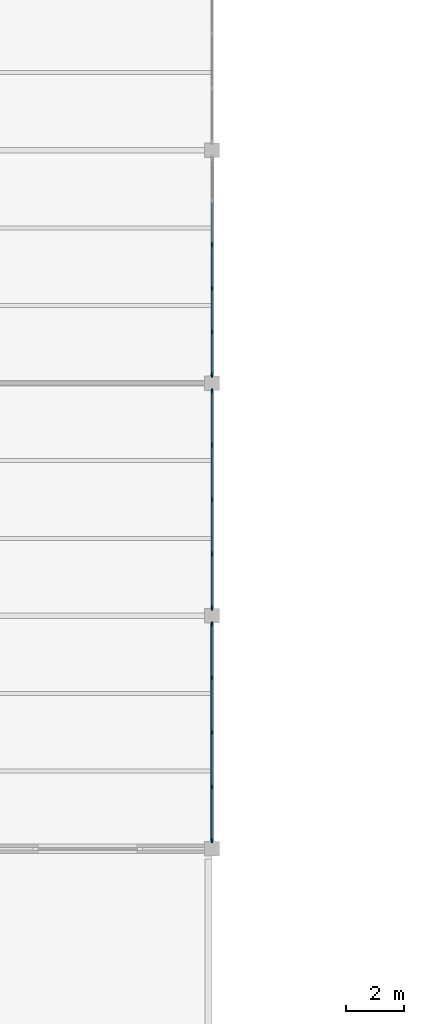
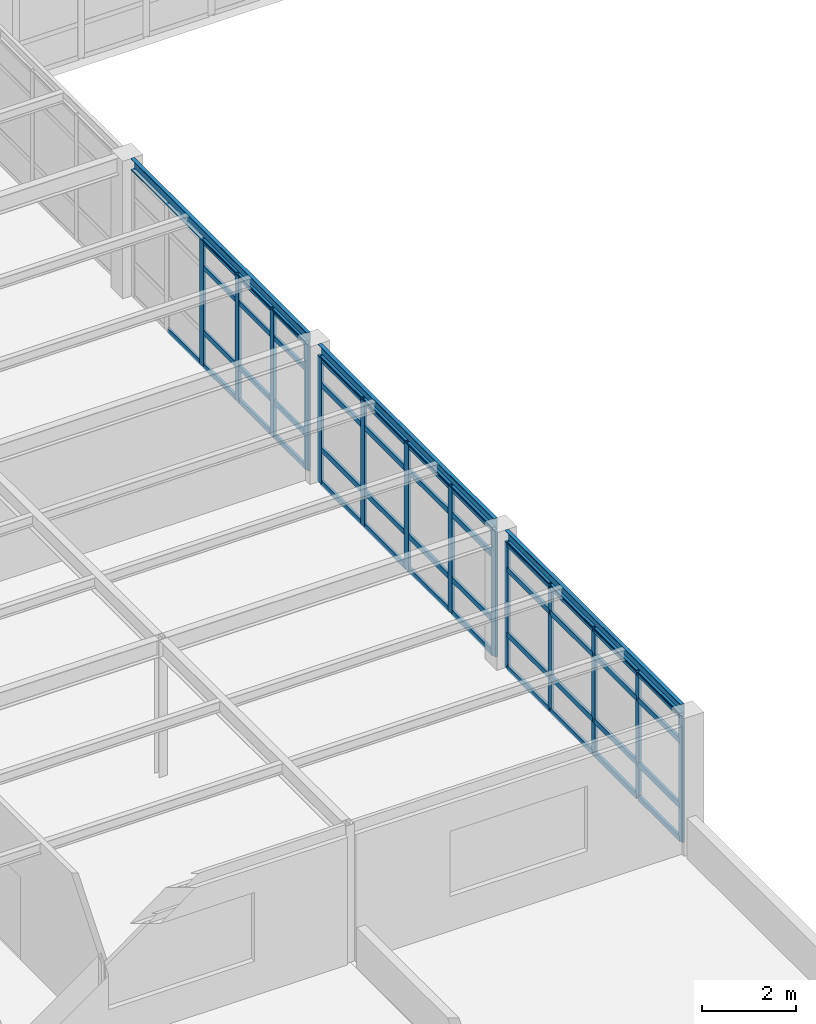
# One storey, part 10 of 32: 59 members, 3 beams, 3 elements without a shape of their own.
"""IFC4 building model written with IfcOpenShell, lengths in metres."""

from ifc_helpers import new_model, si_unit, direction, frame, origin, origin_2d, place, context, subcontext, project, spatial, rectangle, u_section, extrude, material, layer, layer_set, material_profile, profile_set, type_object, element, aggregate, save


model = new_model("IFC4")

# Units and contexts
model_context = context("Model", 3, precision=1e-05, world=origin(), true_north=direction((0.0, 1.0)))
body_context = subcontext(model_context, "Body", "Model", "MODEL_VIEW")
ifc_project = project(units=[si_unit("LENGTHUNIT", "METRE"), si_unit("AREAUNIT", "SQUARE_METRE"), si_unit("VOLUMEUNIT", "CUBIC_METRE"), si_unit("PLANEANGLEUNIT", "RADIAN"), si_unit("MASSUNIT", "GRAM", prefix="KILO")], contexts=[model_context])

# Site, building, storey
site_placement = place(None, origin())
site = spatial("IfcSite", under=ifc_project, at=site_placement, CompositionType="ELEMENT")
building_placement = place(site_placement, origin())
building = spatial("IfcBuilding", under=site, at=building_placement, Name="Kranzveld Transit Interchange", CompositionType="ELEMENT")
storey_placement = place(building_placement, frame((0.0, 0.0, 17.199951171875)))
storey = spatial("IfcBuildingStorey", under=building, at=storey_placement, Name="L04", CompositionType="ELEMENT", Elevation=17.199951171875)

# Curtain wall, members
ifc_material_1 = material(Name="Bronze-anodised thermally broken aluminium", Category="aluminium")
ifc_layer_1 = layer(ifc_material_1, 0.159912109375)
ifc_layer_set_1 = layer_set([ifc_layer_1], Name="Bronze-anodised thermally broken aluminium")
curtain_wall_type_1 = type_object("IfcCurtainWallType", Name="Bus Boarding Glazed Screen CW-3", PredefinedType="USERDEFINED", material=ifc_layer_set_1)
curtain_wall_1_placement = place(storey_placement, origin())
curtain_wall_1 = element("IfcCurtainWall", 1, at=curtain_wall_1_placement, inside=storey, type_object=curtain_wall_type_1, Name="L04 Curtain Wall 05/H-05/J", ObjectType="CURTAIN WALL", PredefinedType="USERDEFINED")
ifc_material_2 = material(Name="Bronze-anodised thermally broken aluminium", Category="aluminium")
ifc_material_profile_1 = material_profile(ifc_material_2, rectangle(XDim=0.06005859375, YDim=0.14990234375, at=origin_2d()), Name="ALU MULLION 60x150")
ifc_profile_set_1 = profile_set([ifc_material_profile_1], Name="Bronze-anodised thermally broken aluminium")
member_type_1 = type_object("IfcMemberType", Name="Curtain Wall Mullion 60x150 Alu", PredefinedType="MULLION", material=ifc_profile_set_1)
member_1_placement = place(storey_placement, frame((33.60009765625, 56.280029296875, 0.0), z_axis=(0.0, 0.0, 1.0), x_axis=(-1.0, 0.0, 0.0)))
member_1 = element("IfcMember", 2, at=member_1_placement, type_object=member_type_1, Name="CW-3 mullion 1", PredefinedType="MULLION", context=body_context, shape_type="SweptSolid", body=[
    extrude(rectangle(XDim=0.06005859375, YDim=0.14990234375, at=origin_2d()), origin(), (0.0, 0.0, 1.0), 3.2900390625),
])
member_2_placement = place(storey_placement, frame((33.60009765625, 58.125, 0.0), z_axis=(0.0, 0.0, 1.0), x_axis=(-1.0, 0.0, 0.0)))
member_2 = element("IfcMember", 3, at=member_2_placement, type_object=member_type_1, Name="CW-3 mullion 2", PredefinedType="MULLION", context=body_context, shape_type="SweptSolid", body=[
    extrude(rectangle(XDim=0.06005859375, YDim=0.14990234375, at=origin_2d()), origin(), (0.0, 0.0, 1.0), 3.2900390625),
])
member_3_placement = place(storey_placement, frame((33.60009765625, 60.0, 0.0), z_axis=(0.0, 0.0, 1.0), x_axis=(-1.0, 0.0, 0.0)))
member_3 = element("IfcMember", 4, at=member_3_placement, type_object=member_type_1, Name="CW-3 mullion 3", PredefinedType="MULLION", context=body_context, shape_type="SweptSolid", body=[
    extrude(rectangle(XDim=0.06005859375, YDim=0.14990234375, at=origin_2d()), origin(), (0.0, 0.0, 1.0), 3.2900390625),
])
member_4_placement = place(storey_placement, frame((33.60009765625, 61.875, 0.0), z_axis=(0.0, 0.0, 1.0), x_axis=(-1.0, 0.0, 0.0)))
member_4 = element("IfcMember", 5, at=member_4_placement, type_object=member_type_1, Name="CW-3 mullion 4", PredefinedType="MULLION", context=body_context, shape_type="SweptSolid", body=[
    extrude(rectangle(XDim=0.06005859375, YDim=0.14990234375, at=origin_2d()), origin(), (0.0, 0.0, 1.0), 3.2900390625),
])
member_5_placement = place(storey_placement, frame((33.60009765625, 63.719970703125, 0.0), z_axis=(0.0, 0.0, 1.0), x_axis=(-1.0, 0.0, 0.0)))
member_5 = element("IfcMember", 6, at=member_5_placement, type_object=member_type_1, Name="CW-3 mullion 5", PredefinedType="MULLION", context=body_context, shape_type="SweptSolid", body=[
    extrude(rectangle(XDim=0.06005859375, YDim=0.14990234375, at=origin_2d()), origin(), (0.0, 0.0, 1.0), 3.2900390625),
])

ifc_material_3 = material(Name="Bronze-anodised thermally broken aluminium", Category="aluminium")
ifc_layer_2 = layer(ifc_material_3, 0.1650390625)
ifc_layer_set_2 = layer_set([ifc_layer_2], Name="Bronze-anodised thermally broken aluminium")
curtain_wall_type_2 = type_object("IfcCurtainWallType", Name="Sunny Court Arcade Curtain Wall CW-2", PredefinedType="USERDEFINED", material=ifc_layer_set_2)
curtain_wall_2_placement = place(storey_placement, origin())
curtain_wall_2 = element("IfcCurtainWall", 7, at=curtain_wall_2_placement, inside=storey, type_object=curtain_wall_type_2, Name="L04 Curtain Wall 05/K-05/L", ObjectType="CURTAIN WALL", PredefinedType="USERDEFINED")
ifc_material_4 = material(Name="Bronze-anodised thermally broken aluminium", Category="aluminium")
ifc_material_profile_2 = material_profile(ifc_material_4, rectangle(XDim=0.06494140625, YDim=0.1650390625, at=origin_2d()), Name="ALU MULLION 65x165")
ifc_profile_set_2 = profile_set([ifc_material_profile_2], Name="Bronze-anodised thermally broken aluminium")
member_type_2 = type_object("IfcMemberType", Name="Curtain Wall Mullion 65x165 Alu", PredefinedType="MULLION", material=ifc_profile_set_2)
member_6_placement = place(storey_placement, frame((33.60009765625, 72.282470703125, 0.0), z_axis=(0.0, 0.0, 1.0), x_axis=(-1.0, 0.0, 0.0)))
member_6 = element("IfcMember", 8, at=member_6_placement, type_object=member_type_2, Name="CW-2 mullion 1", PredefinedType="MULLION", context=body_context, shape_type="SweptSolid", body=[
    extrude(rectangle(XDim=0.06494140625, YDim=0.1650390625, at=origin_2d()), origin(), (0.0, 0.0, 1.0), 3.2900390625),
])
member_7_placement = place(storey_placement, frame((33.60009765625, 73.75, 0.0), z_axis=(0.0, 0.0, 1.0), x_axis=(-1.0, 0.0, 0.0)))
member_7 = element("IfcMember", 9, at=member_7_placement, type_object=member_type_2, Name="CW-2 mullion 2", PredefinedType="MULLION", context=body_context, shape_type="SweptSolid", body=[
    extrude(rectangle(XDim=0.06494140625, YDim=0.1650390625, at=origin_2d()), origin(), (0.0, 0.0, 1.0), 3.2900390625),
])
member_8_placement = place(storey_placement, frame((33.60009765625, 75.25, 0.0), z_axis=(0.0, 0.0, 1.0), x_axis=(-1.0, 0.0, 0.0)))
member_8 = element("IfcMember", 10, at=member_8_placement, type_object=member_type_2, Name="CW-2 mullion 3", PredefinedType="MULLION", context=body_context, shape_type="SweptSolid", body=[
    extrude(rectangle(XDim=0.06494140625, YDim=0.1650390625, at=origin_2d()), origin(), (0.0, 0.0, 1.0), 3.2900390625),
])
member_9_placement = place(storey_placement, frame((33.60009765625, 76.75, 0.0), z_axis=(0.0, 0.0, 1.0), x_axis=(-1.0, 0.0, 0.0)))
member_9 = element("IfcMember", 11, at=member_9_placement, type_object=member_type_2, Name="CW-2 mullion 4", PredefinedType="MULLION", context=body_context, shape_type="SweptSolid", body=[
    extrude(rectangle(XDim=0.06494140625, YDim=0.1650390625, at=origin_2d()), origin(), (0.0, 0.0, 1.0), 3.2900390625),
])

ifc_material_5 = material(Name="Bronze-anodised thermally broken aluminium", Category="aluminium")
ifc_layer_3 = layer(ifc_material_5, 0.179931640625)
ifc_layer_set_3 = layer_set([ifc_layer_3], Name="Bronze-anodised thermally broken aluminium")
curtain_wall_type_3 = type_object("IfcCurtainWallType", Name="Concourse Unitised Curtain Wall CW-1", PredefinedType="USERDEFINED", material=ifc_layer_set_3)
curtain_wall_3_placement = place(storey_placement, origin())
curtain_wall_3 = element("IfcCurtainWall", 12, at=curtain_wall_3_placement, inside=storey, type_object=curtain_wall_type_3, Name="L04 Curtain Wall 05/J-05/K", ObjectType="CURTAIN WALL", PredefinedType="USERDEFINED")
ifc_material_6 = material(Name="Bronze-anodised thermally broken aluminium", Category="aluminium")
ifc_material_profile_3 = material_profile(ifc_material_6, rectangle(XDim=0.06494140625, YDim=0.179931640625, at=origin_2d()), Name="ALU MULLION 65x180")
ifc_profile_set_3 = profile_set([ifc_material_profile_3], Name="Bronze-anodised thermally broken aluminium")
member_type_3 = type_object("IfcMemberType", Name="Curtain Wall Mullion 65x180 Alu", PredefinedType="MULLION", material=ifc_profile_set_3)
member_10_placement = place(storey_placement, frame((33.60009765625, 64.282470703125, 0.0), z_axis=(0.0, 0.0, 1.0), x_axis=(-1.0, 0.0, 0.0)))
member_10 = element("IfcMember", 13, at=member_10_placement, type_object=member_type_3, Name="CW-1 mullion 1", PredefinedType="MULLION", context=body_context, shape_type="SweptSolid", body=[
    extrude(rectangle(XDim=0.06494140625, YDim=0.179931640625, at=origin_2d()), origin(), (0.0, 0.0, 1.0), 3.2900390625),
])
member_11_placement = place(storey_placement, frame((33.60009765625, 66.125, 0.0), z_axis=(0.0, 0.0, 1.0), x_axis=(-1.0, 0.0, 0.0)))
member_11 = element("IfcMember", 14, at=member_11_placement, type_object=member_type_3, Name="CW-1 mullion 2", PredefinedType="MULLION", context=body_context, shape_type="SweptSolid", body=[
    extrude(rectangle(XDim=0.06494140625, YDim=0.179931640625, at=origin_2d()), origin(), (0.0, 0.0, 1.0), 3.2900390625),
])
member_12_placement = place(storey_placement, frame((33.60009765625, 68.0, 0.0), z_axis=(0.0, 0.0, 1.0), x_axis=(-1.0, 0.0, 0.0)))
member_12 = element("IfcMember", 15, at=member_12_placement, type_object=member_type_3, Name="CW-1 mullion 3", PredefinedType="MULLION", context=body_context, shape_type="SweptSolid", body=[
    extrude(rectangle(XDim=0.06494140625, YDim=0.179931640625, at=origin_2d()), origin(), (0.0, 0.0, 1.0), 3.2900390625),
])
member_13_placement = place(storey_placement, frame((33.60009765625, 69.875, 0.0), z_axis=(0.0, 0.0, 1.0), x_axis=(-1.0, 0.0, 0.0)))
member_13 = element("IfcMember", 16, at=member_13_placement, type_object=member_type_3, Name="CW-1 mullion 4", PredefinedType="MULLION", context=body_context, shape_type="SweptSolid", body=[
    extrude(rectangle(XDim=0.06494140625, YDim=0.179931640625, at=origin_2d()), origin(), (0.0, 0.0, 1.0), 3.2900390625),
])
member_14_placement = place(storey_placement, frame((33.60009765625, 71.717529296875, 0.0), z_axis=(0.0, 0.0, 1.0), x_axis=(-1.0, 0.0, 0.0)))
member_14 = element("IfcMember", 17, at=member_14_placement, type_object=member_type_3, Name="CW-1 mullion 5", PredefinedType="MULLION", context=body_context, shape_type="SweptSolid", body=[
    extrude(rectangle(XDim=0.06494140625, YDim=0.179931640625, at=origin_2d()), origin(), (0.0, 0.0, 1.0), 3.2900390625),
])

# Member
ifc_material_7 = material(Name="Bronze-anodised thermally broken aluminium", Category="aluminium")
ifc_material_profile_4 = material_profile(ifc_material_7, rectangle(XDim=0.06005859375, YDim=0.125, at=origin_2d()), Name="ALU TRANSOM 60x125")
ifc_profile_set_4 = profile_set([ifc_material_profile_4], Name="Bronze-anodised thermally broken aluminium")
member_type_4 = type_object("IfcMemberType", Name="Curtain Wall Transom 60x125 Alu", PredefinedType="USERDEFINED", material=ifc_profile_set_4)
member_15_placement = place(storey_placement, frame((33.60009765625, 72.31494140625, 0.030029296875), z_axis=(0.0, 1.0, 0.0), x_axis=(-1.0, 0.0, 0.0)))
member_15 = element("IfcMember", 18, at=member_15_placement, type_object=member_type_4, Name="CW-2 transom 1.1", ObjectType="TRANSOM", PredefinedType="USERDEFINED", context=body_context, shape_type="SweptSolid", body=[
    extrude(rectangle(XDim=0.06005859375, YDim=0.125, at=origin_2d()), origin(), (0.0, 0.0, 1.0), 1.402587890625),
])

member_16_placement = place(storey_placement, frame((33.60009765625, 72.31494140625, 0.900146484375), z_axis=(0.0, 1.0, 0.0), x_axis=(-1.0, 0.0, 0.0)))
member_16 = element("IfcMember", 19, at=member_16_placement, type_object=member_type_4, Name="CW-2 transom 1.2", ObjectType="TRANSOM", PredefinedType="USERDEFINED", context=body_context, shape_type="SweptSolid", body=[
    extrude(rectangle(XDim=0.06005859375, YDim=0.125, at=origin_2d()), origin(), (0.0, 0.0, 1.0), 1.402587890625),
])

member_17_placement = place(storey_placement, frame((33.60009765625, 72.31494140625, 2.590087890625), z_axis=(0.0, 1.0, 0.0), x_axis=(-1.0, 0.0, 0.0)))
member_17 = element("IfcMember", 20, at=member_17_placement, type_object=member_type_4, Name="CW-2 transom 1.3", ObjectType="TRANSOM", PredefinedType="USERDEFINED", context=body_context, shape_type="SweptSolid", body=[
    extrude(rectangle(XDim=0.06005859375, YDim=0.125, at=origin_2d()), origin(), (0.0, 0.0, 1.0), 1.402587890625),
])

member_18_placement = place(storey_placement, frame((33.60009765625, 72.31494140625, 3.260009765625), z_axis=(0.0, 1.0, 0.0), x_axis=(-1.0, 0.0, 0.0)))
member_18 = element("IfcMember", 21, at=member_18_placement, type_object=member_type_4, Name="CW-2 transom 1.4", ObjectType="TRANSOM", PredefinedType="USERDEFINED", context=body_context, shape_type="SweptSolid", body=[
    extrude(rectangle(XDim=0.06005859375, YDim=0.125, at=origin_2d()), origin(), (0.0, 0.0, 1.0), 1.402587890625),
])

member_19_placement = place(storey_placement, frame((33.60009765625, 73.782470703125, 0.030029296875), z_axis=(0.0, 1.0, 0.0), x_axis=(-1.0, 0.0, 0.0)))
member_19 = element("IfcMember", 22, at=member_19_placement, type_object=member_type_4, Name="CW-2 transom 2.1", ObjectType="TRANSOM", PredefinedType="USERDEFINED", context=body_context, shape_type="SweptSolid", body=[
    extrude(rectangle(XDim=0.06005859375, YDim=0.125, at=origin_2d()), origin(), (0.0, 0.0, 1.0), 1.43505859375),
])

member_20_placement = place(storey_placement, frame((33.60009765625, 73.782470703125, 0.900146484375), z_axis=(0.0, 1.0, 0.0), x_axis=(-1.0, 0.0, 0.0)))
member_20 = element("IfcMember", 23, at=member_20_placement, type_object=member_type_4, Name="CW-2 transom 2.2", ObjectType="TRANSOM", PredefinedType="USERDEFINED", context=body_context, shape_type="SweptSolid", body=[
    extrude(rectangle(XDim=0.06005859375, YDim=0.125, at=origin_2d()), origin(), (0.0, 0.0, 1.0), 1.43505859375),
])

member_21_placement = place(storey_placement, frame((33.60009765625, 73.782470703125, 2.590087890625), z_axis=(0.0, 1.0, 0.0), x_axis=(-1.0, 0.0, 0.0)))
member_21 = element("IfcMember", 24, at=member_21_placement, type_object=member_type_4, Name="CW-2 transom 2.3", ObjectType="TRANSOM", PredefinedType="USERDEFINED", context=body_context, shape_type="SweptSolid", body=[
    extrude(rectangle(XDim=0.06005859375, YDim=0.125, at=origin_2d()), origin(), (0.0, 0.0, 1.0), 1.43505859375),
])

member_22_placement = place(storey_placement, frame((33.60009765625, 73.782470703125, 3.260009765625), z_axis=(0.0, 1.0, 0.0), x_axis=(-1.0, 0.0, 0.0)))
member_22 = element("IfcMember", 25, at=member_22_placement, type_object=member_type_4, Name="CW-2 transom 2.4", ObjectType="TRANSOM", PredefinedType="USERDEFINED", context=body_context, shape_type="SweptSolid", body=[
    extrude(rectangle(XDim=0.06005859375, YDim=0.125, at=origin_2d()), origin(), (0.0, 0.0, 1.0), 1.43505859375),
])

member_23_placement = place(storey_placement, frame((33.60009765625, 75.282470703125, 0.030029296875), z_axis=(0.0, 1.0, 0.0), x_axis=(-1.0, 0.0, 0.0)))
member_23 = element("IfcMember", 26, at=member_23_placement, type_object=member_type_4, Name="CW-2 transom 3.1", ObjectType="TRANSOM", PredefinedType="USERDEFINED", context=body_context, shape_type="SweptSolid", body=[
    extrude(rectangle(XDim=0.06005859375, YDim=0.125, at=origin_2d()), origin(), (0.0, 0.0, 1.0), 1.43505859375),
])

member_24_placement = place(storey_placement, frame((33.60009765625, 75.282470703125, 0.900146484375), z_axis=(0.0, 1.0, 0.0), x_axis=(-1.0, 0.0, 0.0)))
member_24 = element("IfcMember", 27, at=member_24_placement, type_object=member_type_4, Name="CW-2 transom 3.2", ObjectType="TRANSOM", PredefinedType="USERDEFINED", context=body_context, shape_type="SweptSolid", body=[
    extrude(rectangle(XDim=0.06005859375, YDim=0.125, at=origin_2d()), origin(), (0.0, 0.0, 1.0), 1.43505859375),
])

member_25_placement = place(storey_placement, frame((33.60009765625, 75.282470703125, 2.590087890625), z_axis=(0.0, 1.0, 0.0), x_axis=(-1.0, 0.0, 0.0)))
member_25 = element("IfcMember", 28, at=member_25_placement, type_object=member_type_4, Name="CW-2 transom 3.3", ObjectType="TRANSOM", PredefinedType="USERDEFINED", context=body_context, shape_type="SweptSolid", body=[
    extrude(rectangle(XDim=0.06005859375, YDim=0.125, at=origin_2d()), origin(), (0.0, 0.0, 1.0), 1.43505859375),
])

member_26_placement = place(storey_placement, frame((33.60009765625, 75.282470703125, 3.260009765625), z_axis=(0.0, 1.0, 0.0), x_axis=(-1.0, 0.0, 0.0)))
member_26 = element("IfcMember", 29, at=member_26_placement, type_object=member_type_4, Name="CW-2 transom 3.4", ObjectType="TRANSOM", PredefinedType="USERDEFINED", context=body_context, shape_type="SweptSolid", body=[
    extrude(rectangle(XDim=0.06005859375, YDim=0.125, at=origin_2d()), origin(), (0.0, 0.0, 1.0), 1.43505859375),
])

member_27_placement = place(storey_placement, frame((33.60009765625, 76.782470703125, 0.030029296875), z_axis=(0.0, 1.0, 0.0), x_axis=(-1.0, 0.0, 0.0)))
member_27 = element("IfcMember", 30, at=member_27_placement, type_object=member_type_4, Name="CW-2 transom 4.1", ObjectType="TRANSOM", PredefinedType="USERDEFINED", context=body_context, shape_type="SweptSolid", body=[
    extrude(rectangle(XDim=0.06005859375, YDim=0.125, at=origin_2d()), origin(), (0.0, 0.0, 1.0), 1.43505859375),
])

aggregate(curtain_wall_2, [member_6, member_7, member_8, member_9, member_15, member_16, member_17, member_18, member_19, member_20, member_21, member_22, member_23, member_24, member_25, member_26, member_27])

ifc_material_8 = material(Name="Bronze-anodised thermally broken aluminium", Category="aluminium")
ifc_material_profile_5 = material_profile(ifc_material_8, rectangle(XDim=0.06494140625, YDim=0.139892578125, at=origin_2d()), Name="ALU TRANSOM 65x140")
ifc_profile_set_5 = profile_set([ifc_material_profile_5], Name="Bronze-anodised thermally broken aluminium")
member_type_5 = type_object("IfcMemberType", Name="Curtain Wall Transom 65x140 Alu", PredefinedType="USERDEFINED", material=ifc_profile_set_5)
member_28_placement = place(storey_placement, frame((33.60009765625, 56.31005859375, 0.032470703125), z_axis=(0.0, 1.0, 0.0), x_axis=(-1.0, 0.0, 0.0)))
member_28 = element("IfcMember", 31, at=member_28_placement, type_object=member_type_5, Name="CW-3 transom 1.1", ObjectType="TRANSOM", PredefinedType="USERDEFINED", context=body_context, shape_type="SweptSolid", body=[
    extrude(rectangle(XDim=0.06494140625, YDim=0.139892578125, at=origin_2d()), origin(), (0.0, 0.0, 1.0), 1.784912109375),
])

member_29_placement = place(storey_placement, frame((33.60009765625, 56.31005859375, 0.900146484375), z_axis=(0.0, 1.0, 0.0), x_axis=(-1.0, 0.0, 0.0)))
member_29 = element("IfcMember", 32, at=member_29_placement, type_object=member_type_5, Name="CW-3 transom 1.2", ObjectType="TRANSOM", PredefinedType="USERDEFINED", context=body_context, shape_type="SweptSolid", body=[
    extrude(rectangle(XDim=0.06494140625, YDim=0.139892578125, at=origin_2d()), origin(), (0.0, 0.0, 1.0), 1.784912109375),
])

member_30_placement = place(storey_placement, frame((33.60009765625, 56.31005859375, 2.590087890625), z_axis=(0.0, 1.0, 0.0), x_axis=(-1.0, 0.0, 0.0)))
member_30 = element("IfcMember", 33, at=member_30_placement, type_object=member_type_5, Name="CW-3 transom 1.3", ObjectType="TRANSOM", PredefinedType="USERDEFINED", context=body_context, shape_type="SweptSolid", body=[
    extrude(rectangle(XDim=0.06494140625, YDim=0.139892578125, at=origin_2d()), origin(), (0.0, 0.0, 1.0), 1.784912109375),
])

member_31_placement = place(storey_placement, frame((33.60009765625, 56.31005859375, 3.257568359375), z_axis=(0.0, 1.0, 0.0), x_axis=(-1.0, 0.0, 0.0)))
member_31 = element("IfcMember", 34, at=member_31_placement, type_object=member_type_5, Name="CW-3 transom 1.4", ObjectType="TRANSOM", PredefinedType="USERDEFINED", context=body_context, shape_type="SweptSolid", body=[
    extrude(rectangle(XDim=0.06494140625, YDim=0.139892578125, at=origin_2d()), origin(), (0.0, 0.0, 1.0), 1.784912109375),
])

member_32_placement = place(storey_placement, frame((33.60009765625, 58.155029296875, 0.032470703125), z_axis=(0.0, 1.0, 0.0), x_axis=(-1.0, 0.0, 0.0)))
member_32 = element("IfcMember", 35, at=member_32_placement, type_object=member_type_5, Name="CW-3 transom 2.1", ObjectType="TRANSOM", PredefinedType="USERDEFINED", context=body_context, shape_type="SweptSolid", body=[
    extrude(rectangle(XDim=0.06494140625, YDim=0.139892578125, at=origin_2d()), origin(), (0.0, 0.0, 1.0), 1.81494140625),
])

member_33_placement = place(storey_placement, frame((33.60009765625, 58.155029296875, 0.900146484375), z_axis=(0.0, 1.0, 0.0), x_axis=(-1.0, 0.0, 0.0)))
member_33 = element("IfcMember", 36, at=member_33_placement, type_object=member_type_5, Name="CW-3 transom 2.2", ObjectType="TRANSOM", PredefinedType="USERDEFINED", context=body_context, shape_type="SweptSolid", body=[
    extrude(rectangle(XDim=0.06494140625, YDim=0.139892578125, at=origin_2d()), origin(), (0.0, 0.0, 1.0), 1.81494140625),
])

member_34_placement = place(storey_placement, frame((33.60009765625, 58.155029296875, 2.590087890625), z_axis=(0.0, 1.0, 0.0), x_axis=(-1.0, 0.0, 0.0)))
member_34 = element("IfcMember", 37, at=member_34_placement, type_object=member_type_5, Name="CW-3 transom 2.3", ObjectType="TRANSOM", PredefinedType="USERDEFINED", context=body_context, shape_type="SweptSolid", body=[
    extrude(rectangle(XDim=0.06494140625, YDim=0.139892578125, at=origin_2d()), origin(), (0.0, 0.0, 1.0), 1.81494140625),
])

member_35_placement = place(storey_placement, frame((33.60009765625, 58.155029296875, 3.257568359375), z_axis=(0.0, 1.0, 0.0), x_axis=(-1.0, 0.0, 0.0)))
member_35 = element("IfcMember", 38, at=member_35_placement, type_object=member_type_5, Name="CW-3 transom 2.4", ObjectType="TRANSOM", PredefinedType="USERDEFINED", context=body_context, shape_type="SweptSolid", body=[
    extrude(rectangle(XDim=0.06494140625, YDim=0.139892578125, at=origin_2d()), origin(), (0.0, 0.0, 1.0), 1.81494140625),
])

member_36_placement = place(storey_placement, frame((33.60009765625, 60.030029296875, 0.032470703125), z_axis=(0.0, 1.0, 0.0), x_axis=(-1.0, 0.0, 0.0)))
member_36 = element("IfcMember", 39, at=member_36_placement, type_object=member_type_5, Name="CW-3 transom 3.1", ObjectType="TRANSOM", PredefinedType="USERDEFINED", context=body_context, shape_type="SweptSolid", body=[
    extrude(rectangle(XDim=0.06494140625, YDim=0.139892578125, at=origin_2d()), origin(), (0.0, 0.0, 1.0), 1.81494140625),
])

member_37_placement = place(storey_placement, frame((33.60009765625, 60.030029296875, 0.900146484375), z_axis=(0.0, 1.0, 0.0), x_axis=(-1.0, 0.0, 0.0)))
member_37 = element("IfcMember", 40, at=member_37_placement, type_object=member_type_5, Name="CW-3 transom 3.2", ObjectType="TRANSOM", PredefinedType="USERDEFINED", context=body_context, shape_type="SweptSolid", body=[
    extrude(rectangle(XDim=0.06494140625, YDim=0.139892578125, at=origin_2d()), origin(), (0.0, 0.0, 1.0), 1.81494140625),
])

member_38_placement = place(storey_placement, frame((33.60009765625, 60.030029296875, 2.590087890625), z_axis=(0.0, 1.0, 0.0), x_axis=(-1.0, 0.0, 0.0)))
member_38 = element("IfcMember", 41, at=member_38_placement, type_object=member_type_5, Name="CW-3 transom 3.3", ObjectType="TRANSOM", PredefinedType="USERDEFINED", context=body_context, shape_type="SweptSolid", body=[
    extrude(rectangle(XDim=0.06494140625, YDim=0.139892578125, at=origin_2d()), origin(), (0.0, 0.0, 1.0), 1.81494140625),
])

member_39_placement = place(storey_placement, frame((33.60009765625, 60.030029296875, 3.257568359375), z_axis=(0.0, 1.0, 0.0), x_axis=(-1.0, 0.0, 0.0)))
member_39 = element("IfcMember", 42, at=member_39_placement, type_object=member_type_5, Name="CW-3 transom 3.4", ObjectType="TRANSOM", PredefinedType="USERDEFINED", context=body_context, shape_type="SweptSolid", body=[
    extrude(rectangle(XDim=0.06494140625, YDim=0.139892578125, at=origin_2d()), origin(), (0.0, 0.0, 1.0), 1.81494140625),
])

member_40_placement = place(storey_placement, frame((33.60009765625, 61.905029296875, 0.032470703125), z_axis=(0.0, 1.0, 0.0), x_axis=(-1.0, 0.0, 0.0)))
member_40 = element("IfcMember", 43, at=member_40_placement, type_object=member_type_5, Name="CW-3 transom 4.1", ObjectType="TRANSOM", PredefinedType="USERDEFINED", context=body_context, shape_type="SweptSolid", body=[
    extrude(rectangle(XDim=0.06494140625, YDim=0.139892578125, at=origin_2d()), origin(), (0.0, 0.0, 1.0), 1.784912109375),
])

member_41_placement = place(storey_placement, frame((33.60009765625, 61.905029296875, 0.900146484375), z_axis=(0.0, 1.0, 0.0), x_axis=(-1.0, 0.0, 0.0)))
member_41 = element("IfcMember", 44, at=member_41_placement, type_object=member_type_5, Name="CW-3 transom 4.2", ObjectType="TRANSOM", PredefinedType="USERDEFINED", context=body_context, shape_type="SweptSolid", body=[
    extrude(rectangle(XDim=0.06494140625, YDim=0.139892578125, at=origin_2d()), origin(), (0.0, 0.0, 1.0), 1.784912109375),
])

member_42_placement = place(storey_placement, frame((33.60009765625, 61.905029296875, 2.590087890625), z_axis=(0.0, 1.0, 0.0), x_axis=(-1.0, 0.0, 0.0)))
member_42 = element("IfcMember", 45, at=member_42_placement, type_object=member_type_5, Name="CW-3 transom 4.3", ObjectType="TRANSOM", PredefinedType="USERDEFINED", context=body_context, shape_type="SweptSolid", body=[
    extrude(rectangle(XDim=0.06494140625, YDim=0.139892578125, at=origin_2d()), origin(), (0.0, 0.0, 1.0), 1.784912109375),
])

member_43_placement = place(storey_placement, frame((33.60009765625, 61.905029296875, 3.257568359375), z_axis=(0.0, 1.0, 0.0), x_axis=(-1.0, 0.0, 0.0)))
member_43 = element("IfcMember", 46, at=member_43_placement, type_object=member_type_5, Name="CW-3 transom 4.4", ObjectType="TRANSOM", PredefinedType="USERDEFINED", context=body_context, shape_type="SweptSolid", body=[
    extrude(rectangle(XDim=0.06494140625, YDim=0.139892578125, at=origin_2d()), origin(), (0.0, 0.0, 1.0), 1.784912109375),
])

aggregate(curtain_wall_1, [member_1, member_2, member_3, member_4, member_5, member_28, member_29, member_30, member_31, member_32, member_33, member_34, member_35, member_36, member_37, member_38, member_39, member_40, member_41, member_42, member_43])

member_44_placement = place(storey_placement, frame((33.60009765625, 64.31494140625, 0.032470703125), z_axis=(0.0, 1.0, 0.0), x_axis=(-1.0, 0.0, 0.0)))
member_44 = element("IfcMember", 47, at=member_44_placement, type_object=member_type_5, Name="CW-1 transom 1.1", ObjectType="TRANSOM", PredefinedType="USERDEFINED", context=body_context, shape_type="SweptSolid", body=[
    extrude(rectangle(XDim=0.06494140625, YDim=0.139892578125, at=origin_2d()), origin(), (0.0, 0.0, 1.0), 1.777587890625),
])

member_45_placement = place(storey_placement, frame((33.60009765625, 64.31494140625, 0.900146484375), z_axis=(0.0, 1.0, 0.0), x_axis=(-1.0, 0.0, 0.0)))
member_45 = element("IfcMember", 48, at=member_45_placement, type_object=member_type_5, Name="CW-1 transom 1.2", ObjectType="TRANSOM", PredefinedType="USERDEFINED", context=body_context, shape_type="SweptSolid", body=[
    extrude(rectangle(XDim=0.06494140625, YDim=0.139892578125, at=origin_2d()), origin(), (0.0, 0.0, 1.0), 1.777587890625),
])

member_46_placement = place(storey_placement, frame((33.60009765625, 64.31494140625, 2.590087890625), z_axis=(0.0, 1.0, 0.0), x_axis=(-1.0, 0.0, 0.0)))
member_46 = element("IfcMember", 49, at=member_46_placement, type_object=member_type_5, Name="CW-1 transom 1.3", ObjectType="TRANSOM", PredefinedType="USERDEFINED", context=body_context, shape_type="SweptSolid", body=[
    extrude(rectangle(XDim=0.06494140625, YDim=0.139892578125, at=origin_2d()), origin(), (0.0, 0.0, 1.0), 1.777587890625),
])

member_47_placement = place(storey_placement, frame((33.60009765625, 64.31494140625, 3.257568359375), z_axis=(0.0, 1.0, 0.0), x_axis=(-1.0, 0.0, 0.0)))
member_47 = element("IfcMember", 50, at=member_47_placement, type_object=member_type_5, Name="CW-1 transom 1.4", ObjectType="TRANSOM", PredefinedType="USERDEFINED", context=body_context, shape_type="SweptSolid", body=[
    extrude(rectangle(XDim=0.06494140625, YDim=0.139892578125, at=origin_2d()), origin(), (0.0, 0.0, 1.0), 1.777587890625),
])

member_48_placement = place(storey_placement, frame((33.60009765625, 66.157470703125, 0.032470703125), z_axis=(0.0, 1.0, 0.0), x_axis=(-1.0, 0.0, 0.0)))
member_48 = element("IfcMember", 51, at=member_48_placement, type_object=member_type_5, Name="CW-1 transom 2.1", ObjectType="TRANSOM", PredefinedType="USERDEFINED", context=body_context, shape_type="SweptSolid", body=[
    extrude(rectangle(XDim=0.06494140625, YDim=0.139892578125, at=origin_2d()), origin(), (0.0, 0.0, 1.0), 1.81005859375),
])

member_49_placement = place(storey_placement, frame((33.60009765625, 66.157470703125, 0.900146484375), z_axis=(0.0, 1.0, 0.0), x_axis=(-1.0, 0.0, 0.0)))
member_49 = element("IfcMember", 52, at=member_49_placement, type_object=member_type_5, Name="CW-1 transom 2.2", ObjectType="TRANSOM", PredefinedType="USERDEFINED", context=body_context, shape_type="SweptSolid", body=[
    extrude(rectangle(XDim=0.06494140625, YDim=0.139892578125, at=origin_2d()), origin(), (0.0, 0.0, 1.0), 1.81005859375),
])

member_50_placement = place(storey_placement, frame((33.60009765625, 66.157470703125, 2.590087890625), z_axis=(0.0, 1.0, 0.0), x_axis=(-1.0, 0.0, 0.0)))
member_50 = element("IfcMember", 53, at=member_50_placement, type_object=member_type_5, Name="CW-1 transom 2.3", ObjectType="TRANSOM", PredefinedType="USERDEFINED", context=body_context, shape_type="SweptSolid", body=[
    extrude(rectangle(XDim=0.06494140625, YDim=0.139892578125, at=origin_2d()), origin(), (0.0, 0.0, 1.0), 1.81005859375),
])

member_51_placement = place(storey_placement, frame((33.60009765625, 66.157470703125, 3.257568359375), z_axis=(0.0, 1.0, 0.0), x_axis=(-1.0, 0.0, 0.0)))
member_51 = element("IfcMember", 54, at=member_51_placement, type_object=member_type_5, Name="CW-1 transom 2.4", ObjectType="TRANSOM", PredefinedType="USERDEFINED", context=body_context, shape_type="SweptSolid", body=[
    extrude(rectangle(XDim=0.06494140625, YDim=0.139892578125, at=origin_2d()), origin(), (0.0, 0.0, 1.0), 1.81005859375),
])

member_52_placement = place(storey_placement, frame((33.60009765625, 68.032470703125, 0.032470703125), z_axis=(0.0, 1.0, 0.0), x_axis=(-1.0, 0.0, 0.0)))
member_52 = element("IfcMember", 55, at=member_52_placement, type_object=member_type_5, Name="CW-1 transom 3.1", ObjectType="TRANSOM", PredefinedType="USERDEFINED", context=body_context, shape_type="SweptSolid", body=[
    extrude(rectangle(XDim=0.06494140625, YDim=0.139892578125, at=origin_2d()), origin(), (0.0, 0.0, 1.0), 1.81005859375),
])

member_53_placement = place(storey_placement, frame((33.60009765625, 68.032470703125, 0.900146484375), z_axis=(0.0, 1.0, 0.0), x_axis=(-1.0, 0.0, 0.0)))
member_53 = element("IfcMember", 56, at=member_53_placement, type_object=member_type_5, Name="CW-1 transom 3.2", ObjectType="TRANSOM", PredefinedType="USERDEFINED", context=body_context, shape_type="SweptSolid", body=[
    extrude(rectangle(XDim=0.06494140625, YDim=0.139892578125, at=origin_2d()), origin(), (0.0, 0.0, 1.0), 1.81005859375),
])

member_54_placement = place(storey_placement, frame((33.60009765625, 68.032470703125, 2.590087890625), z_axis=(0.0, 1.0, 0.0), x_axis=(-1.0, 0.0, 0.0)))
member_54 = element("IfcMember", 57, at=member_54_placement, type_object=member_type_5, Name="CW-1 transom 3.3", ObjectType="TRANSOM", PredefinedType="USERDEFINED", context=body_context, shape_type="SweptSolid", body=[
    extrude(rectangle(XDim=0.06494140625, YDim=0.139892578125, at=origin_2d()), origin(), (0.0, 0.0, 1.0), 1.81005859375),
])

member_55_placement = place(storey_placement, frame((33.60009765625, 68.032470703125, 3.257568359375), z_axis=(0.0, 1.0, 0.0), x_axis=(-1.0, 0.0, 0.0)))
member_55 = element("IfcMember", 58, at=member_55_placement, type_object=member_type_5, Name="CW-1 transom 3.4", ObjectType="TRANSOM", PredefinedType="USERDEFINED", context=body_context, shape_type="SweptSolid", body=[
    extrude(rectangle(XDim=0.06494140625, YDim=0.139892578125, at=origin_2d()), origin(), (0.0, 0.0, 1.0), 1.81005859375),
])

member_56_placement = place(storey_placement, frame((33.60009765625, 69.907470703125, 0.032470703125), z_axis=(0.0, 1.0, 0.0), x_axis=(-1.0, 0.0, 0.0)))
member_56 = element("IfcMember", 59, at=member_56_placement, type_object=member_type_5, Name="CW-1 transom 4.1", ObjectType="TRANSOM", PredefinedType="USERDEFINED", context=body_context, shape_type="SweptSolid", body=[
    extrude(rectangle(XDim=0.06494140625, YDim=0.139892578125, at=origin_2d()), origin(), (0.0, 0.0, 1.0), 1.777587890625),
])

member_57_placement = place(storey_placement, frame((33.60009765625, 69.907470703125, 0.900146484375), z_axis=(0.0, 1.0, 0.0), x_axis=(-1.0, 0.0, 0.0)))
member_57 = element("IfcMember", 60, at=member_57_placement, type_object=member_type_5, Name="CW-1 transom 4.2", ObjectType="TRANSOM", PredefinedType="USERDEFINED", context=body_context, shape_type="SweptSolid", body=[
    extrude(rectangle(XDim=0.06494140625, YDim=0.139892578125, at=origin_2d()), origin(), (0.0, 0.0, 1.0), 1.777587890625),
])

member_58_placement = place(storey_placement, frame((33.60009765625, 69.907470703125, 2.590087890625), z_axis=(0.0, 1.0, 0.0), x_axis=(-1.0, 0.0, 0.0)))
member_58 = element("IfcMember", 61, at=member_58_placement, type_object=member_type_5, Name="CW-1 transom 4.3", ObjectType="TRANSOM", PredefinedType="USERDEFINED", context=body_context, shape_type="SweptSolid", body=[
    extrude(rectangle(XDim=0.06494140625, YDim=0.139892578125, at=origin_2d()), origin(), (0.0, 0.0, 1.0), 1.777587890625),
])

member_59_placement = place(storey_placement, frame((33.60009765625, 69.907470703125, 3.257568359375), z_axis=(0.0, 1.0, 0.0), x_axis=(-1.0, 0.0, 0.0)))
member_59 = element("IfcMember", 62, at=member_59_placement, type_object=member_type_5, Name="CW-1 transom 4.4", ObjectType="TRANSOM", PredefinedType="USERDEFINED", context=body_context, shape_type="SweptSolid", body=[
    extrude(rectangle(XDim=0.06494140625, YDim=0.139892578125, at=origin_2d()), origin(), (0.0, 0.0, 1.0), 1.777587890625),
])

aggregate(curtain_wall_3, [member_10, member_11, member_12, member_13, member_14, member_44, member_45, member_46, member_47, member_48, member_49, member_50, member_51, member_52, member_53, member_54, member_55, member_56, member_57, member_58, member_59])

# Beams
ifc_material_9 = material(Name="Steel S355JR", Category="steel")
ifc_material_profile_6 = material_profile(ifc_material_9, u_section(Depth=0.300048828125, FlangeWidth=0.090087890625, WebThickness=0.009033203125, FlangeThickness=0.015380859375, FilletRadius=0.011962890625, at=origin_2d()), Name="PFC 300x90x41")
ifc_profile_set_6 = profile_set([ifc_material_profile_6], Name="Steel S355JR")
beam_type = type_object("IfcBeamType", Name="Edge Spandrel PFC 300x90x41 S355JR", PredefinedType="SPANDREL", material=ifc_profile_set_6)
for number, where, z_axis, x_axis, name in (
    (63, (33.60009765625, 56.239990234375, 3.43994140625), (0.0, 1.0, 0.0), (-1.0, 0.0, 0.0), "L04 Girder 05/H-J"),
    (64, (33.60009765625, 64.239990234375, 3.43994140625), (0.0, 1.0, 0.0), (-1.0, 0.0, 0.0), "L04 Girder 05/J-K"),
    (65, (33.60009765625, 72.239990234375, 3.43994140625), (0.0, 1.0, 0.0), (-1.0, 0.0, 0.0), "L04 Girder 05/K-L"),
):
    element("IfcBeam", number, at=place(storey_placement, frame(where, z_axis=z_axis, x_axis=x_axis)), inside=storey, type_object=beam_type, Name=name, PredefinedType="SPANDREL", context=body_context, shape_type="SweptSolid", body=[
        extrude(u_section(Depth=0.300048828125, FlangeWidth=0.090087890625, WebThickness=0.009033203125, FlangeThickness=0.015380859375, FilletRadius=0.011962890625, at=origin_2d()), origin(), (0.0, 0.0, 1.0), 7.52001953125),
    ])

save(model, "model.ifc")
